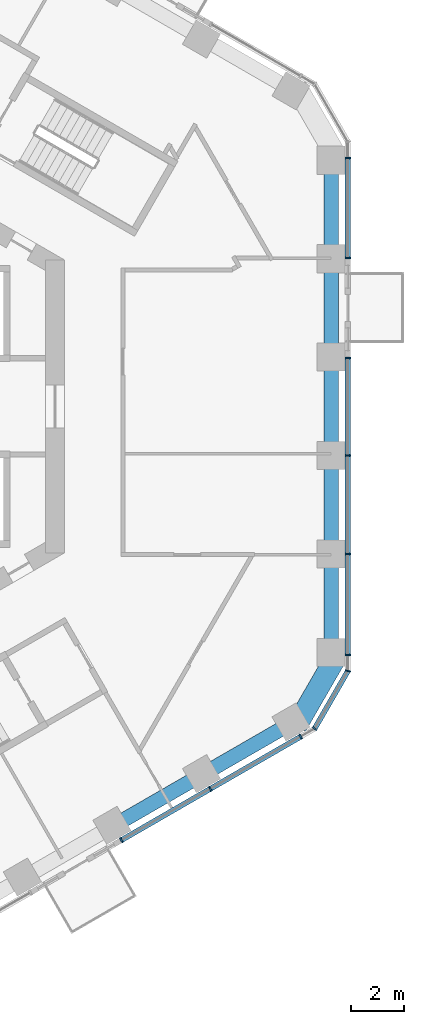
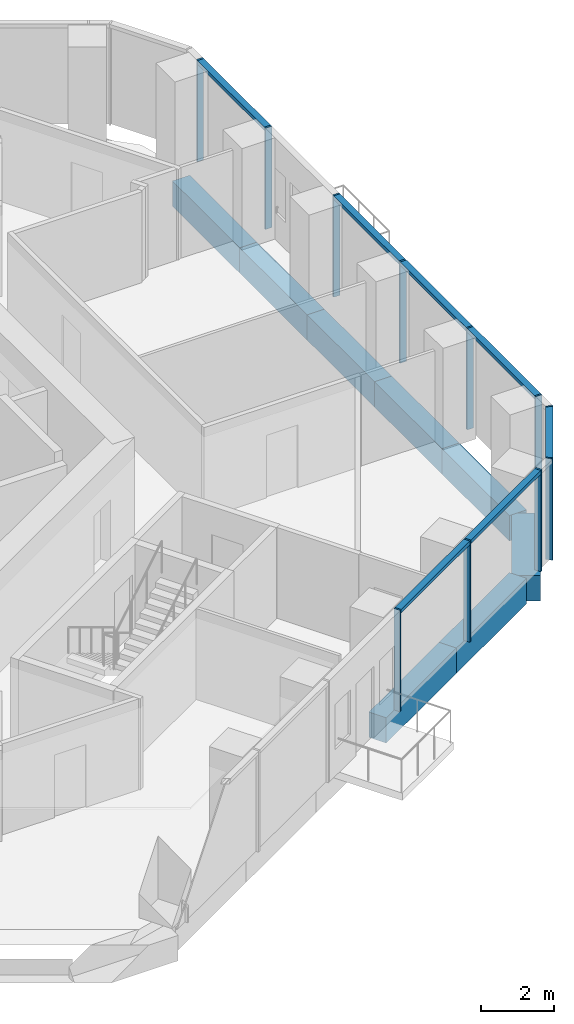
# One storey, part 5 of 20: 15 members, 8 beams, 4 elements without a shape of their own.
"""IFC4 building model written with IfcOpenShell, lengths in metres."""

from ifc_helpers import new_model, si_unit, direction, frame, origin, origin_2d, place, context, subcontext, project, spatial, rectangle, extrude, material, layer, layer_set, material_profile, profile_set, type_object, element, aggregate, save


model = new_model("IFC4")

# Units and contexts
model_context = context("Model", 3, precision=1e-05, world=origin(), true_north=direction((0.0, 1.0)))
body_context = subcontext(model_context, "Body", "Model", "MODEL_VIEW")
ifc_project = project(units=[si_unit("LENGTHUNIT", "METRE"), si_unit("AREAUNIT", "SQUARE_METRE"), si_unit("VOLUMEUNIT", "CUBIC_METRE"), si_unit("PLANEANGLEUNIT", "RADIAN"), si_unit("MASSUNIT", "GRAM", prefix="KILO")], contexts=[model_context])

# Site, building, storey
site_placement = place(None, origin())
site = spatial("IfcSite", under=ifc_project, at=site_placement, CompositionType="ELEMENT")
building_placement = place(site_placement, origin())
building = spatial("IfcBuilding", under=site, at=building_placement, Name="Ayvan Gate Tower", CompositionType="ELEMENT")
storey_placement = place(building_placement, frame((0.0, 0.0, 96.699951171875)))
storey = spatial("IfcBuildingStorey", under=building, at=storey_placement, Name="L25", CompositionType="ELEMENT", Elevation=96.699951171875)

# Beams
ifc_material_1 = material(Name="Concrete C40/50", Category="concrete")
ifc_material_profile_1 = material_profile(ifc_material_1, rectangle(XDim=0.800048828125, YDim=0.85009765625, at=origin_2d()), Name="RC 800x850")
ifc_profile_set_1 = profile_set([ifc_material_profile_1], Name="Concrete C40/50")
beam_type_1 = type_object("IfcBeamType", Name="Corner spandrel beam RC 800x850 C40/50", PredefinedType="BEAM", material=ifc_profile_set_1)
beam_1_placement = place(storey_placement, frame((18.176025390625, -11.967529296875, -0.77490234375), z_axis=(0.499990139034, 0.866031096941, 0.0), x_axis=(-0.866031096941, 0.499990139034, 0.0)))
element("IfcBeam", 1, at=beam_1_placement, inside=storey, type_object=beam_type_1, Name="SB-L25-36", PredefinedType="BEAM", context=body_context, shape_type="SweptSolid", body=[
    extrude(rectangle(XDim=0.800048828125, YDim=0.85009765625, at=origin_2d()), origin(), (0.0, 0.0, 1.0), 3.0),
])
ifc_material_profile_2 = material_profile(ifc_material_1, rectangle(XDim=0.550048828125, YDim=0.85009765625, at=origin_2d()), Name="RC 550x850")
ifc_profile_set_2 = profile_set([ifc_material_profile_2], Name="Concrete C40/50")
beam_type_2 = type_object("IfcBeamType", Name="Spandrel beam RC 550x850 C40/50", PredefinedType="BEAM", material=ifc_profile_set_2)
for number, where, z_axis, x_axis, name in (
    (2, (19.485595703125, -9.259521484375, -0.77490234375), (0.0, 1.0, 0.0), (-1.0, 0.0, 0.0), "SB-L25-1"),
    (3, (19.485595703125, -5.5556640625, -0.77490234375), (0.0, 1.0, 0.0), (-1.0, 0.0, 0.0), "SB-L25-2"),
):
    element("IfcBeam", number, at=place(storey_placement, frame(where, z_axis=z_axis, x_axis=x_axis)), inside=storey, type_object=beam_type_2, Name=name, PredefinedType="BEAM", context=body_context, shape_type="SweptSolid", body=[
        extrude(rectangle(XDim=0.550048828125, YDim=0.85009765625, at=origin_2d()), origin(), (0.0, 0.0, 1.0), 3.703857421875),
    ])
beam_2_placement = place(storey_placement, frame((19.485595703125, -1.851806640625, -0.77490234375), z_axis=(0.0, 1.0, 0.0), x_axis=(-1.0, 0.0, 0.0)))
element("IfcBeam", 4, at=beam_2_placement, inside=storey, type_object=beam_type_2, Name="SB-L25-3", PredefinedType="BEAM", context=body_context, shape_type="SweptSolid", body=[
    extrude(rectangle(XDim=0.550048828125, YDim=0.85009765625, at=origin_2d()), origin(), (0.0, 0.0, 1.0), 3.70361328125),
])
for number, where, z_axis, x_axis, name in (
    (5, (19.485595703125, 1.851806640625, -0.77490234375), (0.0, 1.0, 0.0), (-1.0, 0.0, 0.0), "SB-L25-4"),
    (6, (19.485595703125, 5.5556640625, -0.77490234375), (0.0, 1.0, 0.0), (-1.0, 0.0, 0.0), "SB-L25-5"),
):
    element("IfcBeam", number, at=place(storey_placement, frame(where, z_axis=z_axis, x_axis=x_axis)), inside=storey, type_object=beam_type_2, Name=name, PredefinedType="BEAM", context=body_context, shape_type="SweptSolid", body=[
        extrude(rectangle(XDim=0.550048828125, YDim=0.85009765625, at=origin_2d()), origin(), (0.0, 0.0, 1.0), 3.703857421875),
    ])
beam_3_placement = place(storey_placement, frame((11.3017578125, -15.71630859375, -0.77490234375), z_axis=(0.866034932412, 0.49998349557, 0.0), x_axis=(-0.49998349557, 0.866034932412, 0.0)))
element("IfcBeam", 7, at=beam_3_placement, inside=storey, type_object=beam_type_2, Name="SB-L25-34", PredefinedType="BEAM", context=body_context, shape_type="SweptSolid", body=[
    extrude(rectangle(XDim=0.550048828125, YDim=0.85009765625, at=origin_2d()), origin(), (0.0, 0.0, 1.0), 3.859130859375),
])
beam_4_placement = place(storey_placement, frame((14.643798828125, -13.786865234375, -0.77490234375), z_axis=(0.8660191159, 0.500010890777, 0.0), x_axis=(-0.500010890777, 0.8660191159, 0.0)))
element("IfcBeam", 8, at=beam_4_placement, inside=storey, type_object=beam_type_2, Name="SB-L25-35", PredefinedType="BEAM", context=body_context, shape_type="SweptSolid", body=[
    extrude(rectangle(XDim=0.550048828125, YDim=0.85009765625, at=origin_2d()), origin(), (0.0, 0.0, 1.0), 3.85888671875),
])

# Curtain wall, members
ifc_material_2 = material(Name="Bronze anodised aluminium", Category="aluminium")
ifc_layer_1 = layer(ifc_material_2, 0.199951171875)
ifc_layer_set_1 = layer_set([ifc_layer_1], Name="Bronze anodised aluminium")
curtain_wall_type_1 = type_object("IfcCurtainWallType", Name="Stick curtain wall CW-1", PredefinedType="NOTDEFINED", material=ifc_layer_set_1)
curtain_wall_1_placement = place(storey_placement, origin())
curtain_wall_1 = element("IfcCurtainWall", 9, at=curtain_wall_1_placement, inside=storey, type_object=curtain_wall_type_1, Name="Stick curtain wall CW-1 L25", PredefinedType="NOTDEFINED")
ifc_material_profile_3 = material_profile(ifc_material_2, rectangle(XDim=0.199951171875, YDim=0.06005859375, at=origin_2d()), Name="Stick curtain wall CW-1 mullion 200 x 60")
ifc_profile_set_3 = profile_set([ifc_material_profile_3], Name="Bronze anodised aluminium")
member_type_1 = type_object("IfcMemberType", Name="Stick curtain wall CW-1 mullion 200 x 60", PredefinedType="MULLION", material=ifc_profile_set_3)
member_1_placement = place(storey_placement, frame((11.63818359375, -16.228271484375, 0.0), z_axis=(0.0, 0.0, 1.0), x_axis=(0.5, -0.866025403784, 0.0)))
member_1 = element("IfcMember", 10, at=member_1_placement, type_object=member_type_1, Name="CW-1 mullion 1", PredefinedType="MULLION", context=body_context, shape_type="SweptSolid", body=[
    extrude(rectangle(XDim=0.199951171875, YDim=0.06005859375, at=origin_2d()), origin(), (0.0, 0.0, 1.0), 3.400146484375),
])
member_2_placement = place(storey_placement, frame((14.962646484375, -14.308837890625, 0.0), z_axis=(0.0, 0.0, 1.0), x_axis=(0.5, -0.866025403784, 0.0)))
member_2 = element("IfcMember", 11, at=member_2_placement, type_object=member_type_1, Name="CW-1 mullion 2", PredefinedType="MULLION", context=body_context, shape_type="SweptSolid", body=[
    extrude(rectangle(XDim=0.199951171875, YDim=0.06005859375, at=origin_2d()), origin(), (0.0, 0.0, 1.0), 3.400146484375),
])
member_3_placement = place(storey_placement, frame((18.34326171875, -12.35693359375, 0.0), z_axis=(0.0, 0.0, 1.0), x_axis=(0.5, -0.866025403784, 0.0)))
member_3 = element("IfcMember", 12, at=member_3_placement, type_object=member_type_1, Name="CW-1 mullion 3", PredefinedType="MULLION", context=body_context, shape_type="SweptSolid", body=[
    extrude(rectangle(XDim=0.199951171875, YDim=0.06005859375, at=origin_2d()), origin(), (0.0, 0.0, 1.0), 3.400146484375),
])

curtain_wall_2_placement = place(storey_placement, origin())
curtain_wall_2 = element("IfcCurtainWall", 13, at=curtain_wall_2_placement, inside=storey, type_object=curtain_wall_type_1, Name="Stick curtain wall CW-1 L25", PredefinedType="NOTDEFINED")
member_4_placement = place(storey_placement, frame((20.110595703125, -9.296142578125, 0.0), z_axis=(0.0, 0.0, 1.0), x_axis=(1.0, 0.0, 0.0)))
member_4 = element("IfcMember", 14, at=member_4_placement, type_object=member_type_1, Name="CW-1 mullion 1", PredefinedType="MULLION", context=body_context, shape_type="SweptSolid", body=[
    extrude(rectangle(XDim=0.199951171875, YDim=0.06005859375, at=origin_2d()), origin(), (0.0, 0.0, 1.0), 3.400146484375),
])
member_5_placement = place(storey_placement, frame((20.110595703125, -5.526123046875, 0.0), z_axis=(0.0, 0.0, 1.0), x_axis=(1.0, 0.0, 0.0)))
member_5 = element("IfcMember", 15, at=member_5_placement, type_object=member_type_1, Name="CW-1 mullion 2", PredefinedType="MULLION", context=body_context, shape_type="SweptSolid", body=[
    extrude(rectangle(XDim=0.199951171875, YDim=0.06005859375, at=origin_2d()), origin(), (0.0, 0.0, 1.0), 3.400146484375),
])
member_6_placement = place(storey_placement, frame((20.110595703125, -1.842041015625, 0.0), z_axis=(0.0, 0.0, 1.0), x_axis=(1.0, 0.0, 0.0)))
member_6 = element("IfcMember", 16, at=member_6_placement, type_object=member_type_1, Name="CW-1 mullion 3", PredefinedType="MULLION", context=body_context, shape_type="SweptSolid", body=[
    extrude(rectangle(XDim=0.199951171875, YDim=0.06005859375, at=origin_2d()), origin(), (0.0, 0.0, 1.0), 3.400146484375),
])
member_7_placement = place(storey_placement, frame((20.110595703125, 1.811767578125, 0.0), z_axis=(0.0, 0.0, 1.0), x_axis=(1.0, 0.0, 0.0)))
member_7 = element("IfcMember", 17, at=member_7_placement, type_object=member_type_1, Name="CW-1 mullion 4", PredefinedType="MULLION", context=body_context, shape_type="SweptSolid", body=[
    extrude(rectangle(XDim=0.199951171875, YDim=0.06005859375, at=origin_2d()), origin(), (0.0, 0.0, 1.0), 3.400146484375),
])

curtain_wall_3_placement = place(storey_placement, origin())
curtain_wall_3 = element("IfcCurtainWall", 18, at=curtain_wall_3_placement, inside=storey, type_object=curtain_wall_type_1, Name="Stick curtain wall CW-1 L25", PredefinedType="NOTDEFINED")
member_8_placement = place(storey_placement, frame((20.110595703125, 5.555908203125, 0.0), z_axis=(0.0, 0.0, 1.0), x_axis=(1.0, 0.0, 0.0)))
member_8 = element("IfcMember", 19, at=member_8_placement, type_object=member_type_1, Name="CW-1 mullion 1", PredefinedType="MULLION", context=body_context, shape_type="SweptSolid", body=[
    extrude(rectangle(XDim=0.199951171875, YDim=0.06005859375, at=origin_2d()), origin(), (0.0, 0.0, 1.0), 3.400146484375),
])
member_9_placement = place(storey_placement, frame((20.110595703125, 9.296142578125, 0.0), z_axis=(0.0, 0.0, 1.0), x_axis=(1.0, 0.0, 0.0)))
member_9 = element("IfcMember", 20, at=member_9_placement, type_object=member_type_1, Name="CW-1 mullion 2", PredefinedType="MULLION", context=body_context, shape_type="SweptSolid", body=[
    extrude(rectangle(XDim=0.199951171875, YDim=0.06005859375, at=origin_2d()), origin(), (0.0, 0.0, 1.0), 3.400146484375),
])

# Member
ifc_material_profile_4 = material_profile(ifc_material_2, rectangle(XDim=0.199951171875, YDim=0.1201171875, at=origin_2d()), Name="Stick curtain wall CW-1 transom 200 x 120")
ifc_profile_set_4 = profile_set([ifc_material_profile_4], Name="Bronze anodised aluminium")
member_type_2 = type_object("IfcMemberType", Name="Stick curtain wall CW-1 transom 200 x 120", PredefinedType="USERDEFINED", material=ifc_profile_set_4)
member_10_placement = place(storey_placement, frame((11.63818359375, -16.228271484375, 3.340087890625), z_axis=(0.866016498349, 0.500015424349, 0.0), x_axis=(-0.500015424349, 0.866016498349, 0.0)))
member_10 = element("IfcMember", 21, at=member_10_placement, type_object=member_type_2, Name="CW-1 transom 1", ObjectType="TRANSOM", PredefinedType="USERDEFINED", context=body_context, shape_type="SweptSolid", body=[
    extrude(rectangle(XDim=0.199951171875, YDim=0.1201171875, at=origin_2d()), origin(), (0.0, 0.0, 1.0), 7.742431640625),
])

aggregate(curtain_wall_1, [member_1, member_2, member_3, member_10])

member_11_placement = place(storey_placement, frame((20.110595703125, -9.296142578125, 3.340087890625), z_axis=(0.0, 1.0, 0.0), x_axis=(-1.0, 0.0, 0.0)))
member_11 = element("IfcMember", 22, at=member_11_placement, type_object=member_type_2, Name="CW-1 transom 1", ObjectType="TRANSOM", PredefinedType="USERDEFINED", context=body_context, shape_type="SweptSolid", body=[
    extrude(rectangle(XDim=0.199951171875, YDim=0.1201171875, at=origin_2d()), origin(), (0.0, 0.0, 1.0), 11.10791015625),
])

aggregate(curtain_wall_2, [member_4, member_5, member_6, member_7, member_11])

member_12_placement = place(storey_placement, frame((20.110595703125, 5.555908203125, 3.340087890625), z_axis=(0.0, 1.0, 0.0), x_axis=(-1.0, 0.0, 0.0)))
member_12 = element("IfcMember", 23, at=member_12_placement, type_object=member_type_2, Name="CW-1 transom 1", ObjectType="TRANSOM", PredefinedType="USERDEFINED", context=body_context, shape_type="SweptSolid", body=[
    extrude(rectangle(XDim=0.199951171875, YDim=0.1201171875, at=origin_2d()), origin(), (0.0, 0.0, 1.0), 3.740234375),
])

aggregate(curtain_wall_3, [member_8, member_9, member_12])

# Curtain wall, members
ifc_layer_2 = layer(ifc_material_2, 0.199951171875)
ifc_layer_set_2 = layer_set([ifc_layer_2], Name="Bronze anodised aluminium")
curtain_wall_type_2 = type_object("IfcCurtainWallType", Name="Stick curtain wall CW-6", PredefinedType="NOTDEFINED", material=ifc_layer_set_2)
curtain_wall_4_placement = place(storey_placement, origin())
curtain_wall_4 = element("IfcCurtainWall", 24, at=curtain_wall_4_placement, inside=storey, type_object=curtain_wall_type_2, Name="Stick curtain wall CW-6 L25", PredefinedType="NOTDEFINED")
ifc_material_profile_5 = material_profile(ifc_material_2, rectangle(XDim=0.199951171875, YDim=0.050048828125, at=origin_2d()), Name="Stick curtain wall CW-6 mullion 200 x 50")
ifc_profile_set_5 = profile_set([ifc_material_profile_5], Name="Bronze anodised aluminium")
member_type_3 = type_object("IfcMemberType", Name="Stick curtain wall CW-6 mullion 200 x 50", PredefinedType="MULLION", material=ifc_profile_set_5)
member_13_placement = place(storey_placement, frame((18.8671875, -12.054443359375, 0.0), z_axis=(0.0, 0.0, 1.0), x_axis=(0.707106781187, -0.707106781187, 0.0)))
member_13 = element("IfcMember", 25, at=member_13_placement, type_object=member_type_3, Name="CW-6 mullion 2", PredefinedType="MULLION", context=body_context, shape_type="SweptSolid", body=[
    extrude(rectangle(XDim=0.199951171875, YDim=0.050048828125, at=origin_2d()), origin(), (0.0, 0.0, 1.0), 3.400146484375),
])
member_14_placement = place(storey_placement, frame((20.110595703125, -9.901123046875, 0.0), z_axis=(0.0, 0.0, 1.0), x_axis=(0.965925826289, -0.258819045103, 0.0)))
member_14 = element("IfcMember", 26, at=member_14_placement, type_object=member_type_3, Name="CW-6 mullion 3", PredefinedType="MULLION", context=body_context, shape_type="SweptSolid", body=[
    extrude(rectangle(XDim=0.199951171875, YDim=0.050048828125, at=origin_2d()), origin(), (0.0, 0.0, 1.0), 3.400146484375),
])
ifc_material_profile_6 = material_profile(ifc_material_2, rectangle(XDim=0.199951171875, YDim=0.1201171875, at=origin_2d()), Name="Stick curtain wall CW-6 transom 200 x 120")
ifc_profile_set_6 = profile_set([ifc_material_profile_6], Name="Bronze anodised aluminium")
member_type_4 = type_object("IfcMemberType", Name="Stick curtain wall CW-6 transom 200 x 120", PredefinedType="USERDEFINED", material=ifc_profile_set_6)
member_15_placement = place(storey_placement, frame((18.8798828125, -12.032958984375, 3.340087890625), z_axis=(0.499997116, 0.866027068856, 0.0), x_axis=(-0.866027068856, 0.499997116, 0.0)))
member_15 = element("IfcMember", 27, at=member_15_placement, type_object=member_type_4, Name="CW-6 transom 2", ObjectType="TRANSOM", PredefinedType="USERDEFINED", context=body_context, shape_type="SweptSolid", body=[
    extrude(rectangle(XDim=0.199951171875, YDim=0.1201171875, at=origin_2d()), origin(), (0.0, 0.0, 1.0), 2.4365234375),
])
aggregate(curtain_wall_4, [member_13, member_14, member_15])

save(model, "model.ifc")
